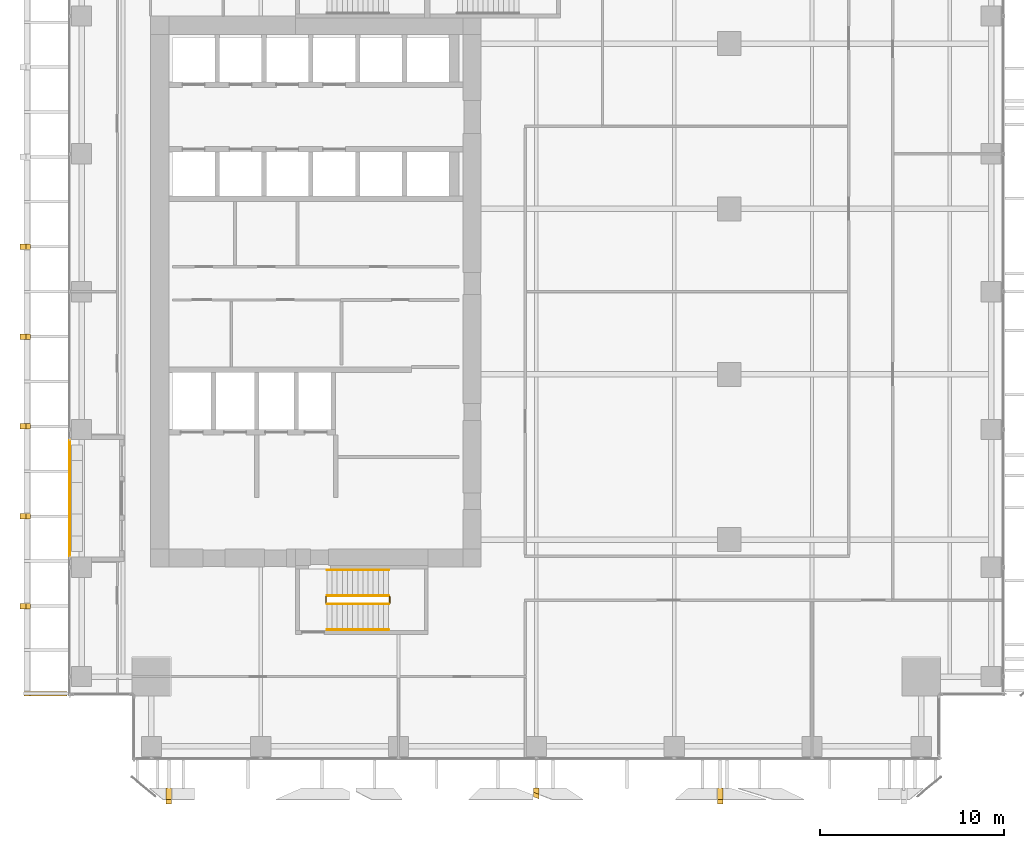
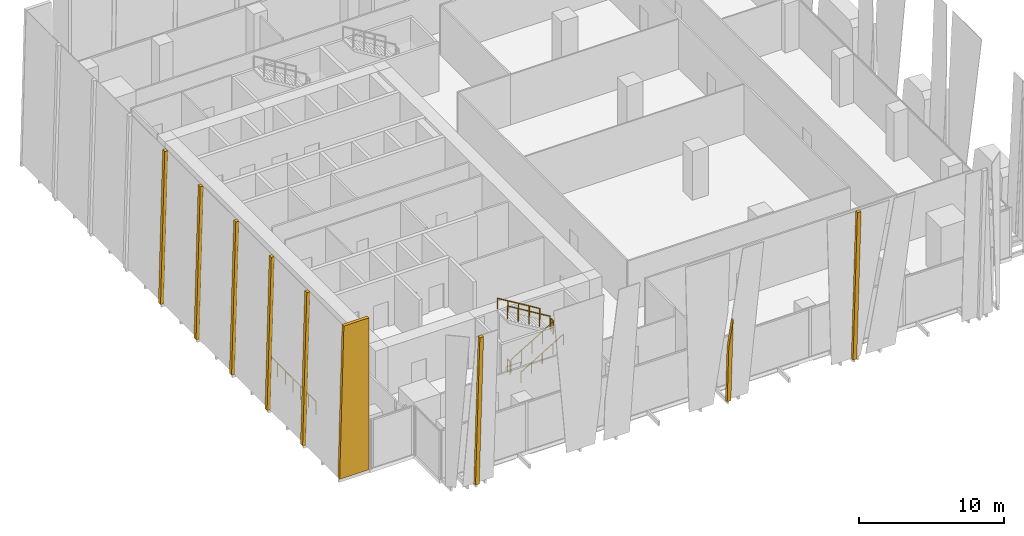
# One storey, part 30 of 34: 9 coverings, 7 railings.
"""IFC4 building model written with IfcOpenShell, lengths in metres."""

from ifc_helpers import new_model, si_unit, direction, frame, origin, origin_2d, place, context, subcontext, project, spatial, polyline, circle, outline, extrude, source, transform, mapped, material, layer, layer_set, type_object, element, save


model = new_model("IFC4")

# Units and contexts
model_context = context("Model", 3, precision=1e-05, world=origin(), true_north=direction((0.0, 1.0)))
body_context = subcontext(model_context, "Body", "Model", "MODEL_VIEW")
ifc_project = project(units=[si_unit("LENGTHUNIT", "METRE"), si_unit("AREAUNIT", "SQUARE_METRE"), si_unit("VOLUMEUNIT", "CUBIC_METRE"), si_unit("PLANEANGLEUNIT", "RADIAN"), si_unit("MASSUNIT", "GRAM", prefix="KILO")], contexts=[model_context])

# Site, building, storey
site_placement = place(None, origin())
site = spatial("IfcSite", under=ifc_project, at=site_placement, CompositionType="ELEMENT")
building_placement = place(site_placement, origin())
building = spatial("IfcBuilding", under=site, at=building_placement, Name="Khomas Fold Tower", CompositionType="ELEMENT")
storey_placement = place(building_placement, frame((0.0, 0.0, 114.699951171875)))
storey = spatial("IfcBuildingStorey", under=building, at=storey_placement, Name="L24", CompositionType="ELEMENT", Elevation=114.699951171875)

# Coverings
ifc_material_1 = material(Name="Natural stone cladding", Category="masonry")
ifc_layer = layer(ifc_material_1, 0.25)
ifc_layer_set = layer_set([ifc_layer], Name="Natural stone cladding")
covering_type = type_object("IfcCoveringType", Name="SK-Karibib marble stone mullion", PredefinedType="CLADDING", material=ifc_layer_set)
covering_1_placement = place(storey_placement, frame((6.85009765625, -0.026611328125, 0.0), z_axis=(0.0, 0.998875266546, 0.047415207295), x_axis=(0.0, -0.047415207295, 0.998875266546)))
element("IfcCovering", 1, at=covering_1_placement, inside=storey, type_object=covering_type, Name="OUTER SKIN mullion L24 SM099-2", PredefinedType="CLADDING", context=body_context, shape_type="SweptSolid", body=[
    extrude(outline(polyline([(0.0, 0.0), (12.764356498773964, 0.0), (12.764356498773964, 0.2998046875), (0.0, 0.2998046875), (0.0, 0.0)])), origin(), (0.0, 0.0, -1.0), 0.25),
])
covering_2_placement = place(storey_placement, frame((26.85009765625, -0.026611328125, 0.0), z_axis=(-6.7228397e-05, 0.998874749164, 0.047426057844), x_axis=(-2.92e-10, -0.047426057951, 0.998874751421)))
element("IfcCovering", 2, at=covering_2_placement, inside=storey, type_object=covering_type, Name="OUTER SKIN mullion L24 SM103-7", PredefinedType="CLADDING", context=body_context, shape_type="SweptSolid", body=[
    extrude(outline(polyline([(0.0, 0.0), (4.648053437038851, -3.3881317890172014e-21), (7.027193492886409, 0.29980469022609574), (-8.739995974390687e-11, 0.2998046868224928), (0.0, 0.0)])), origin(), (0.0, 0.0, -1.0), 0.25),
])
covering_3_placement = place(storey_placement, frame((36.85009765625, -0.026611328125, 0.0), z_axis=(0.0, 0.998875266546, 0.047415207295), x_axis=(0.0, -0.047415207295, 0.998875266546)))
element("IfcCovering", 3, at=covering_3_placement, inside=storey, type_object=covering_type, Name="OUTER SKIN mullion L24 SM105-12", PredefinedType="CLADDING", context=body_context, shape_type="SweptSolid", body=[
    extrude(outline(polyline([(0.0, 0.0), (12.764356498773964, 0.0), (12.764356498773964, 0.2998046875), (0.0, 0.2998046875), (0.0, 0.0)])), origin(), (0.0, 0.0, -1.0), 0.25),
])
for number, where, z_axis, x_axis, name in (
    (4, (-1.104248046875, 9.73876953125, 0.006591796875), (-0.999657592188, 0.0, 0.026166741891), (0.0, 1.0, 0.0), "OUTER SKIN mullion L24 W2"),
    (5, (-1.104248046875, 14.627685546875, 0.006591796875), (-0.999657592188, 0.0, 0.026166741891), (0.0, 1.0, 0.0), "OUTER SKIN mullion L24 W4"),
    (6, (-1.104248046875, 19.5166015625, 0.006591796875), (-0.999657592188, 0.0, 0.026166741891), (0.0, 1.0, 0.0), "OUTER SKIN mullion L24 W6"),
    (7, (-1.104248046875, 24.405517578125, 0.006591796875), (-0.999657592188, 0.0, 0.026166741891), (0.0, 1.0, 0.0), "OUTER SKIN mullion L24 W8"),
    (8, (-1.104248046875, 29.29443359375, 0.006591796875), (-0.999657592188, 0.0, 0.026166741891), (0.0, 1.0, 0.0), "OUTER SKIN mullion L24 W10"),
):
    element("IfcCovering", number, at=place(storey_placement, frame(where, z_axis=z_axis, x_axis=x_axis)), inside=storey, type_object=covering_type, Name=name, PredefinedType="CLADDING", context=body_context, shape_type="SweptSolid", body=[
        extrude(outline(polyline([(0.0, 0.0), (0.300048828125, 0.0), (0.300048828125, -12.754367194966619), (0.0, -12.754367194966619), (0.0, 0.0)])), origin(), (0.0, 0.0, -1.0), 0.25),
    ])
covering_4_placement = place(storey_placement, frame((1.449951171875, 5.0, 12.75), z_axis=(0.0, -1.0, 0.0), x_axis=(-1.0, 0.0, 0.0)))
element("IfcCovering", 9, at=covering_4_placement, inside=storey, type_object=covering_type, Name="OUTER SKIN return L24 W1", PredefinedType="CLADDING", context=body_context, shape_type="SweptSolid", body=[
    extrude(outline(polyline([(0.0, 0.0), (2.010498046875, 0.0), (2.34423828125, 12.75), (0.0, 12.75), (0.0, 0.0)])), origin(), (0.0, 0.0, -1.0), 0.25),
])

# Railings
ifc_material_2 = material(Name="Powder-coated steel", Category="steel")
railing_type_1 = type_object("IfcRailingType", Name="Balcony guard", PredefinedType="GUARDRAIL", material=ifc_material_2)
shared_shape_1 = source(origin(), body_context, "Body", "SweptSolid", [
    extrude(circle(Radius=0.02490234375, at=origin_2d()), frame((0.0, 0.0, 1.125), z_axis=(0.0, 1.0, 0.0), x_axis=(-1.0, 0.0, 0.0)), (0.0, 0.0, 1.0), 6.33984375),
    extrude(circle(Radius=0.02001953125, at=origin_2d()), origin(), (0.0, 0.0, 1.0), 1.099853515625),
    extrude(circle(Radius=0.02001953125, at=origin_2d()), frame((0.0, 1.056640625, 0.0)), (0.0, 0.0, 1.0), 1.099853515625),
    extrude(circle(Radius=0.02001953125, at=origin_2d()), frame((0.0, 2.11328125, 0.0)), (0.0, 0.0, 1.0), 1.099853515625),
    extrude(circle(Radius=0.02001953125, at=origin_2d()), frame((0.0, 3.169921875, 0.0)), (0.0, 0.0, 1.0), 1.099853515625),
    extrude(circle(Radius=0.02001953125, at=origin_2d()), frame((0.0, 4.2265625, 0.0)), (0.0, 0.0, 1.0), 1.099853515625),
    extrude(circle(Radius=0.02001953125, at=origin_2d()), frame((0.0, 5.283203125, 0.0)), (0.0, 0.0, 1.0), 1.099853515625),
    extrude(circle(Radius=0.02001953125, at=origin_2d()), frame((0.0, 6.33984375, 0.0)), (0.0, 0.0, 1.0), 1.099853515625),
])
railing_1_placement = place(storey_placement, frame((1.60009765625, 12.580078125, -0.044921875)))
element("IfcRailing", 10, at=railing_1_placement, inside=storey, type_object=railing_type_1, Name="Balcony guard BAL-L24-W1", PredefinedType="GUARDRAIL", context=body_context, shape_type="MappedRepresentation", body=[
    mapped(shared_shape_1, transform((0.0, 0.0, 0.0))),
])
ifc_material_3 = material(Name="Steel balustrade", Category="steel")
railing_type_2 = type_object("IfcRailingType", Name="Stair guard", PredefinedType="GUARDRAIL", material=ifc_material_3)
shared_shape_2 = source(origin(), body_context, "Body", "SweptSolid", [
    extrude(circle(Radius=0.02392578125, at=origin_2d()), frame((0.0, 0.0, 1.076171875), z_axis=(0.0, 1.0, 0.0), x_axis=(-1.0, 0.0, 0.0)), (0.0, 0.0, 1.0), 0.349853515625),
    extrude(circle(Radius=0.02099609375, at=origin_2d()), origin(), (0.0, 0.0, 1.0), 1.052001953125),
    extrude(circle(Radius=0.02099609375, at=origin_2d()), frame((0.0, 0.349853515625, 0.0)), (0.0, 0.0, 1.0), 1.052001953125),
])
for number, where, name in (
    (11, (19.010009765625, 10.050048828125, 2.199951171875), "L24 ST2 stair guard 2"),
    (12, (15.550048828125, 10.050048828125, 0.0), "L24 ST2 stair guard 4"),
):
    element("IfcRailing", number, at=place(storey_placement, frame(where)), inside=storey, type_object=railing_type_2, Name=name, PredefinedType="GUARDRAIL", context=body_context, shape_type="MappedRepresentation", body=[
        mapped(shared_shape_2, transform((0.0, 0.0, 0.0))),
    ])
shared_shape_3 = source(origin(), body_context, "Body", "SweptSolid", [
    extrude(circle(Radius=0.02392578125, at=origin_2d()), frame((0.0, 0.0, 1.076171875), z_axis=(0.855820338506, 0.0, 0.51727318527), x_axis=(0.0, 1.0, 0.0)), (0.0, 0.0, 1.0), 3.92578125),
    extrude(circle(Radius=0.02099609375, at=origin_2d()), origin(), (0.0, 0.0, 1.0), 1.052001953125),
    extrude(circle(Radius=0.02099609375, at=origin_2d()), frame((0.83984375, 0.0, 0.5078125)), (0.0, 0.0, 1.0), 1.052001953125),
    extrude(circle(Radius=0.02099609375, at=origin_2d()), frame((1.679931640625, 0.0, 1.015380859375)), (0.0, 0.0, 1.0), 1.052001953125),
    extrude(circle(Radius=0.02099609375, at=origin_2d()), frame((2.52001953125, 0.0, 1.52294921875)), (0.0, 0.0, 1.0), 1.052001953125),
    extrude(circle(Radius=0.02099609375, at=origin_2d()), frame((3.35986328125, 0.0, 2.03076171875)), (0.0, 0.0, 1.0), 1.052001953125),
])
railing_2_placement = place(storey_placement, frame((15.60009765625, 10.0, 0.169189453125)))
element("IfcRailing", 13, at=railing_2_placement, inside=storey, type_object=railing_type_2, Name="L24 ST2 stair guard 1", PredefinedType="GUARDRAIL", context=body_context, shape_type="MappedRepresentation", body=[
    mapped(shared_shape_3, transform((0.0, 0.0, 0.0))),
])
shared_shape_4 = source(origin(), body_context, "Body", "SweptSolid", [
    extrude(circle(Radius=0.02392578125, at=origin_2d()), frame((0.0, 0.0, 1.076171875), z_axis=(-0.855820338506, 0.0, 0.51727318527), x_axis=(0.0, -1.0, 0.0)), (0.0, 0.0, 1.0), 3.92578125),
    extrude(circle(Radius=0.02099609375, at=origin_2d()), origin(), (0.0, 0.0, 1.0), 1.052001953125),
    extrude(circle(Radius=0.02099609375, at=origin_2d()), frame((-0.83984375, 0.0, 0.5078125)), (0.0, 0.0, 1.0), 1.052001953125),
    extrude(circle(Radius=0.02099609375, at=origin_2d()), frame((-1.679931640625, 0.0, 1.015380859375)), (0.0, 0.0, 1.0), 1.052001953125),
    extrude(circle(Radius=0.02099609375, at=origin_2d()), frame((-2.52001953125, 0.0, 1.52294921875)), (0.0, 0.0, 1.0), 1.052001953125),
    extrude(circle(Radius=0.02099609375, at=origin_2d()), frame((-3.35986328125, 0.0, 2.03076171875)), (0.0, 0.0, 1.0), 1.052001953125),
])
railing_3_placement = place(storey_placement, frame((18.9599609375, 10.449951171875, 2.369384765625)))
element("IfcRailing", 14, at=railing_3_placement, inside=storey, type_object=railing_type_2, Name="L24 ST2 stair guard 3", PredefinedType="GUARDRAIL", context=body_context, shape_type="MappedRepresentation", body=[
    mapped(shared_shape_4, transform((0.0, 0.0, 0.0))),
])
ifc_material_4 = material(Name="Steel handrail", Category="steel")
railing_type_3 = type_object("IfcRailingType", Name="Stair handrail", PredefinedType="HANDRAIL", material=ifc_material_4)
shared_shape_5 = source(origin(), body_context, "Body", "SweptSolid", [
    extrude(circle(Radius=0.02392578125, at=origin_2d()), frame((0.0, 0.0, 0.8759765625), z_axis=(0.855820338506, 0.0, 0.51727318527), x_axis=(0.0, 1.0, 0.0)), (0.0, 0.0, 1.0), 3.92578125),
    extrude(circle(Radius=0.02099609375, at=origin_2d()), origin(), (0.0, 0.0, 1.0), 0.851806640625),
    extrude(circle(Radius=0.02099609375, at=origin_2d()), frame((0.83984375, 0.0, 0.5078125)), (0.0, 0.0, 1.0), 0.851806640625),
    extrude(circle(Radius=0.02099609375, at=origin_2d()), frame((1.679931640625, 0.0, 1.015380859375)), (0.0, 0.0, 1.0), 0.851806640625),
    extrude(circle(Radius=0.02099609375, at=origin_2d()), frame((2.52001953125, 0.0, 1.52294921875)), (0.0, 0.0, 1.0), 0.851806640625),
    extrude(circle(Radius=0.02099609375, at=origin_2d()), frame((3.35986328125, 0.0, 2.03076171875)), (0.0, 0.0, 1.0), 0.851806640625),
])
railing_4_placement = place(storey_placement, frame((15.60009765625, 8.60009765625, 0.169189453125)))
element("IfcRailing", 15, at=railing_4_placement, inside=storey, type_object=railing_type_3, Name="L24 ST2 stair handrail 1", PredefinedType="HANDRAIL", context=body_context, shape_type="MappedRepresentation", body=[
    mapped(shared_shape_5, transform((0.0, 0.0, 0.0))),
])
shared_shape_6 = source(origin(), body_context, "Body", "SweptSolid", [
    extrude(circle(Radius=0.02392578125, at=origin_2d()), frame((0.0, 0.0, 0.8759765625), z_axis=(-0.855820338506, 0.0, 0.51727318527), x_axis=(0.0, -1.0, 0.0)), (0.0, 0.0, 1.0), 3.92578125),
    extrude(circle(Radius=0.02099609375, at=origin_2d()), origin(), (0.0, 0.0, 1.0), 0.851806640625),
    extrude(circle(Radius=0.02099609375, at=origin_2d()), frame((-0.83984375, 0.0, 0.5078125)), (0.0, 0.0, 1.0), 0.851806640625),
    extrude(circle(Radius=0.02099609375, at=origin_2d()), frame((-1.679931640625, 0.0, 1.015380859375)), (0.0, 0.0, 1.0), 0.851806640625),
    extrude(circle(Radius=0.02099609375, at=origin_2d()), frame((-2.52001953125, 0.0, 1.52294921875)), (0.0, 0.0, 1.0), 0.851806640625),
    extrude(circle(Radius=0.02099609375, at=origin_2d()), frame((-3.35986328125, 0.0, 2.03076171875)), (0.0, 0.0, 1.0), 0.851806640625),
])
railing_5_placement = place(storey_placement, frame((18.9599609375, 11.85009765625, 2.369384765625)))
element("IfcRailing", 16, at=railing_5_placement, inside=storey, type_object=railing_type_3, Name="L24 ST2 stair handrail 2", PredefinedType="HANDRAIL", context=body_context, shape_type="MappedRepresentation", body=[
    mapped(shared_shape_6, transform((0.0, 0.0, 0.0))),
])

save(model, "model.ifc")
